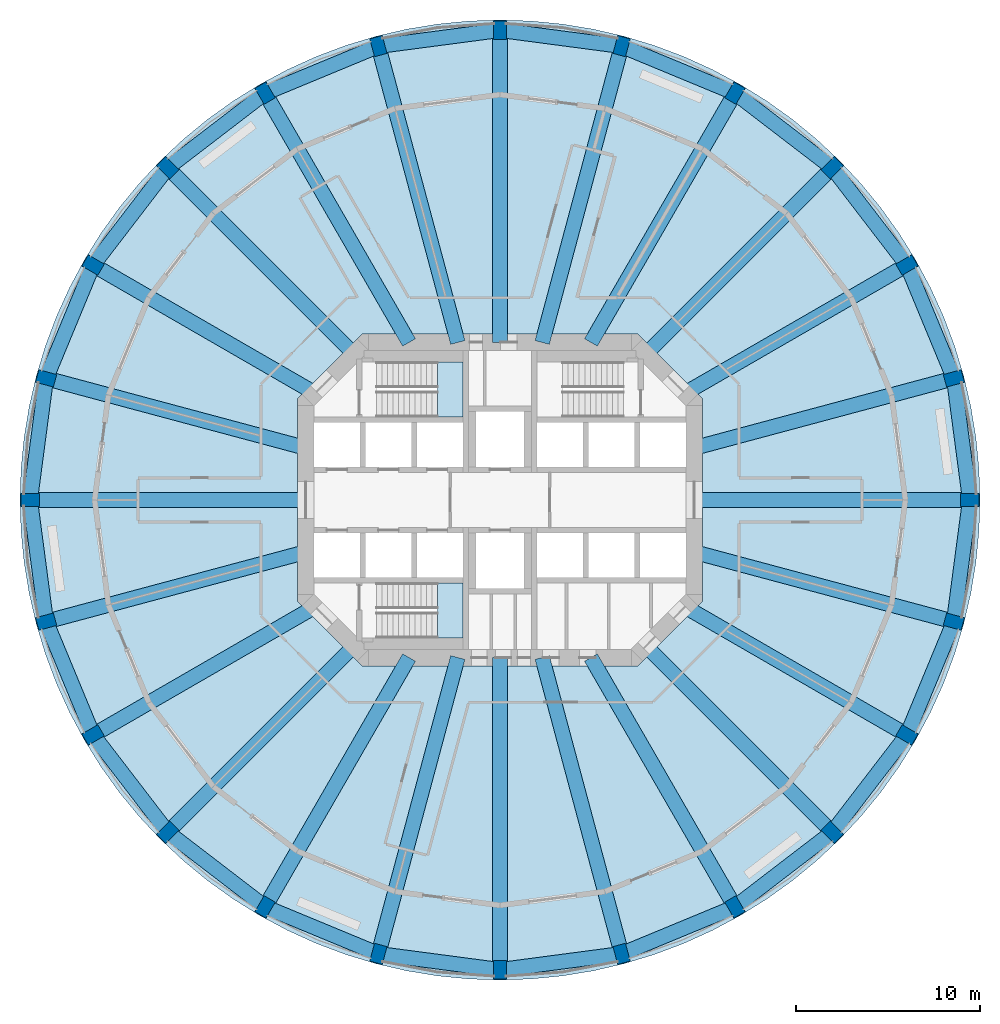
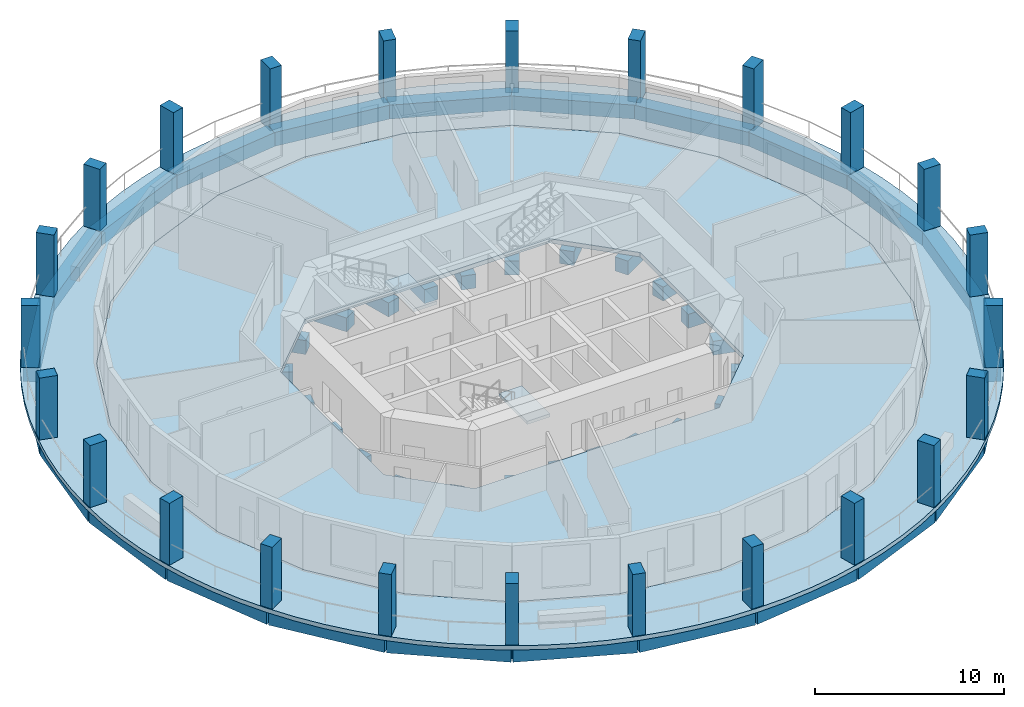
# One storey, part 1 of 9: 48 beams, 24 columns, 4 slabs, 2 elements without a shape of their own.
"""IFC4 building model written with IfcOpenShell, lengths in metres."""

from ifc_helpers import new_model, si_unit, direction, frame, origin, origin_2d, place, context, subcontext, project, spatial, polyline, rectangle, outline, extrude, material, layer, layer_set, material_profile, profile_set, type_object, element, aggregate, save


model = new_model("IFC4")

# Units and contexts
model_context = context("Model", 3, precision=1e-05, world=origin(), true_north=direction((0.0, 1.0)))
body_context = subcontext(model_context, "Body", "Model", "MODEL_VIEW")
ifc_project = project(units=[si_unit("LENGTHUNIT", "METRE"), si_unit("AREAUNIT", "SQUARE_METRE"), si_unit("VOLUMEUNIT", "CUBIC_METRE"), si_unit("PLANEANGLEUNIT", "RADIAN"), si_unit("MASSUNIT", "GRAM", prefix="KILO")], contexts=[model_context])

# Site, building, storey
site_placement = place(None, origin())
site = spatial("IfcSite", under=ifc_project, at=site_placement, CompositionType="ELEMENT")
building_placement = place(site_placement, origin())
building = spatial("IfcBuilding", under=site, at=building_placement, Name="Torre Triforio", CompositionType="ELEMENT")
storey_placement = place(building_placement, frame((0.0, 0.0, 106.60009765625)))
storey = spatial("IfcBuildingStorey", under=building, at=storey_placement, Name="L23", CompositionType="ELEMENT", Elevation=106.60009765625)

# Columns
ifc_material_1 = material(Name="Concrete C60", Category="concrete")
ifc_material_profile_1 = material_profile(ifc_material_1, rectangle(XDim=0.699951171875, YDim=1.0, at=origin_2d()), Name="RC 700x1000")
ifc_profile_set_1 = profile_set([ifc_material_profile_1], Name="Concrete C60")
column_type = type_object("IfcColumnType", Name="Pier RC 700x1000 C60", PredefinedType="COLUMN", material=ifc_profile_set_1)
for number, where, z_axis, x_axis, name in (
    (1, (25.5, 0.0, 0.0), (0.0, 0.0, 1.0), (0.0, 1.0, 0.0), "COL.R.L23.00"),
    (2, (24.631103515625, 6.599853515625, 0.0), (0.0, 0.0, 1.0), (-0.258819045103, 0.965925826289, 0.0), "COL.R.L23.01"),
    (3, (22.083740234375, 12.75, 0.0), (0.0, 0.0, 1.0), (-0.5, 0.866025403784, 0.0), "COL.R.L23.02"),
    (4, (18.03125, 18.03125, 0.0), (0.0, 0.0, 1.0), (-0.707106781187, 0.707106781187, 0.0), "COL.R.L23.03"),
    (5, (12.75, 22.083740234375, 0.0), (0.0, 0.0, 1.0), (-0.866025403784, 0.5, 0.0), "COL.R.L23.04"),
    (6, (6.599853515625, 24.631103515625, 0.0), (0.0, 0.0, 1.0), (-0.965925826289, 0.258819045103, 0.0), "COL.R.L23.05"),
    (7, (0.0, 25.5, 0.0), (0.0, 0.0, 1.0), (-1.0, 0.0, 0.0), "COL.R.L23.06"),
    (8, (-6.599853515625, 24.631103515625, 0.0), (0.0, 0.0, 1.0), (-0.965925826289, -0.258819045103, 0.0), "COL.R.L23.07"),
    (9, (-12.75, 22.083740234375, 0.0), (0.0, 0.0, 1.0), (-0.866025403784, -0.5, 0.0), "COL.R.L23.08"),
    (10, (-18.03125, 18.03125, 0.0), (0.0, 0.0, 1.0), (-0.707106781187, -0.707106781187, 0.0), "COL.R.L23.09"),
    (11, (-22.083740234375, 12.75, 0.0), (0.0, 0.0, 1.0), (-0.5, -0.866025403784, 0.0), "COL.R.L23.10"),
    (12, (-24.631103515625, 6.599853515625, 0.0), (0.0, 0.0, 1.0), (-0.258819045103, -0.965925826289, 0.0), "COL.R.L23.11"),
    (13, (-25.5, 0.0, 0.0), (0.0, 0.0, 1.0), (0.0, -1.0, 0.0), "COL.R.L23.12"),
    (14, (-24.631103515625, -6.599853515625, 0.0), (0.0, 0.0, 1.0), (0.258819045103, -0.965925826289, 0.0), "COL.R.L23.13"),
    (15, (-22.083740234375, -12.75, 0.0), (0.0, 0.0, 1.0), (0.5, -0.866025403784, 0.0), "COL.R.L23.14"),
    (16, (-18.03125, -18.03125, 0.0), (0.0, 0.0, 1.0), (0.707106781187, -0.707106781187, 0.0), "COL.R.L23.15"),
    (17, (-12.75, -22.083740234375, 0.0), (0.0, 0.0, 1.0), (0.866025403784, -0.5, 0.0), "COL.R.L23.16"),
    (18, (-6.599853515625, -24.631103515625, 0.0), (0.0, 0.0, 1.0), (0.965925826289, -0.258819045103, 0.0), "COL.R.L23.17"),
    (19, (0.0, -25.5, 0.0), (0.0, 0.0, 1.0), (1.0, 0.0, 0.0), "COL.R.L23.18"),
    (20, (6.599853515625, -24.631103515625, 0.0), (0.0, 0.0, 1.0), (0.965925826289, 0.258819045103, 0.0), "COL.R.L23.19"),
    (21, (12.75, -22.083740234375, 0.0), (0.0, 0.0, 1.0), (0.866025403784, 0.5, 0.0), "COL.R.L23.20"),
    (22, (18.03125, -18.03125, 0.0), (0.0, 0.0, 1.0), (0.707106781187, 0.707106781187, 0.0), "COL.R.L23.21"),
    (23, (22.083740234375, -12.75, 0.0), (0.0, 0.0, 1.0), (0.5, 0.866025403784, 0.0), "COL.R.L23.22"),
    (24, (24.631103515625, -6.599853515625, 0.0), (0.0, 0.0, 1.0), (0.258819045103, 0.965925826289, 0.0), "COL.R.L23.23"),
):
    element("IfcColumn", number, at=place(storey_placement, frame(where, z_axis=z_axis, x_axis=x_axis)), inside=storey, type_object=column_type, Name=name, PredefinedType="COLUMN", context=body_context, shape_type="SweptSolid", body=[
        extrude(rectangle(XDim=0.699951171875, YDim=1.0, at=origin_2d()), origin(), (0.0, 0.0, 1.0), 4.0),
    ])

# Beams
ifc_material_2 = material(Name="Concrete C50", Category="concrete")
ifc_material_profile_2 = material_profile(ifc_material_2, rectangle(XDim=0.800048828125, YDim=0.89990234375, at=origin_2d()), Name="RC 800x900")
ifc_profile_set_2 = profile_set([ifc_material_profile_2], Name="Concrete C50")
beam_type_1 = type_object("IfcBeamType", Name="Radial beam RC 800x900 C50", PredefinedType="BEAM", material=ifc_profile_set_2)
beam_1_placement = place(storey_placement, frame((10.550048828125, 0.0, -0.72998046875), z_axis=(1.0, 0.0, 0.0), x_axis=(0.0, 1.0, 0.0)))
element("IfcBeam", 25, at=beam_1_placement, inside=storey, type_object=beam_type_1, Name="BM.R.L23.00", PredefinedType="BEAM", context=body_context, shape_type="SweptSolid", body=[
    extrude(rectangle(XDim=0.800048828125, YDim=0.89990234375, at=origin_2d()), origin(), (0.0, 0.0, 1.0), 14.949951171875),
])
beam_2_placement = place(storey_placement, frame((10.550048828125, 2.826904296875, -0.72998046875), z_axis=(0.965926821176, 0.258815332104, 0.0), x_axis=(-0.258815332104, 0.965926821176, 0.0)))
element("IfcBeam", 26, at=beam_2_placement, inside=storey, type_object=beam_type_1, Name="BM.R.L23.01", PredefinedType="BEAM", context=body_context, shape_type="SweptSolid", body=[
    extrude(rectangle(XDim=0.800048828125, YDim=0.89990234375, at=origin_2d()), origin(), (0.0, 0.0, 1.0), 14.577880859375),
])
beam_3_placement = place(storey_placement, frame((10.039794921875, 5.796630859375, -0.72998046875), z_axis=(0.866031815519, 0.499988894385, 0.0), x_axis=(-0.499988894385, 0.866031815519, 0.0)))
element("IfcBeam", 27, at=beam_3_placement, inside=storey, type_object=beam_type_1, Name="BM.R.L23.02", PredefinedType="BEAM", context=body_context, shape_type="SweptSolid", body=[
    extrude(rectangle(XDim=0.800048828125, YDim=0.89990234375, at=origin_2d()), origin(), (0.0, 0.0, 1.0), 13.906982421875),
])
beam_4_placement = place(storey_placement, frame((7.918212890625, 7.918212890625, -0.72998046875), z_axis=(0.707106781187, 0.707106781187, 0.0), x_axis=(-0.707106781187, 0.707106781187, 0.0)))
element("IfcBeam", 28, at=beam_4_placement, inside=storey, type_object=beam_type_1, Name="BM.R.L23.03", PredefinedType="BEAM", context=body_context, shape_type="SweptSolid", body=[
    extrude(rectangle(XDim=0.800048828125, YDim=0.89990234375, at=origin_2d()), origin(), (0.0, 0.0, 1.0), 14.302001953125),
])
beam_5_placement = place(storey_placement, frame((4.936279296875, 8.550048828125, -0.72998046875), z_axis=(0.500001935381, 0.866024286389, 0.0), x_axis=(-0.866024286389, 0.500001935381, 0.0)))
element("IfcBeam", 29, at=beam_5_placement, inside=storey, type_object=beam_type_1, Name="BM.R.L23.04", PredefinedType="BEAM", context=body_context, shape_type="SweptSolid", body=[
    extrude(rectangle(XDim=0.800048828125, YDim=0.89990234375, at=origin_2d()), origin(), (0.0, 0.0, 1.0), 15.62744140625),
])
beam_6_placement = place(storey_placement, frame((2.291015625, 8.550048828125, -0.72998046875), z_axis=(0.25881524955, 0.965926843296, 0.0), x_axis=(-0.965926843296, 0.25881524955, 0.0)))
element("IfcBeam", 30, at=beam_6_placement, inside=storey, type_object=beam_type_1, Name="BM.R.L23.05", PredefinedType="BEAM", context=body_context, shape_type="SweptSolid", body=[
    extrude(rectangle(XDim=0.800048828125, YDim=0.89990234375, at=origin_2d()), origin(), (0.0, 0.0, 1.0), 16.648193359375),
])
beam_7_placement = place(storey_placement, frame((0.0, 8.550048828125, -0.72998046875), z_axis=(0.0, 1.0, 0.0), x_axis=(-1.0, 0.0, 0.0)))
element("IfcBeam", 31, at=beam_7_placement, inside=storey, type_object=beam_type_1, Name="BM.R.L23.06", PredefinedType="BEAM", context=body_context, shape_type="SweptSolid", body=[
    extrude(rectangle(XDim=0.800048828125, YDim=0.89990234375, at=origin_2d()), origin(), (0.0, 0.0, 1.0), 16.949951171875),
])
beam_8_placement = place(storey_placement, frame((-2.291015625, 8.550048828125, -0.72998046875), z_axis=(-0.25881524955, 0.965926843296, 0.0), x_axis=(-0.965926843296, -0.25881524955, 0.0)))
element("IfcBeam", 32, at=beam_8_placement, inside=storey, type_object=beam_type_1, Name="BM.R.L23.07", PredefinedType="BEAM", context=body_context, shape_type="SweptSolid", body=[
    extrude(rectangle(XDim=0.800048828125, YDim=0.89990234375, at=origin_2d()), origin(), (0.0, 0.0, 1.0), 16.648193359375),
])
beam_9_placement = place(storey_placement, frame((-4.936279296875, 8.550048828125, -0.72998046875), z_axis=(-0.500001935381, 0.866024286389, 0.0), x_axis=(-0.866024286389, -0.500001935381, 0.0)))
element("IfcBeam", 33, at=beam_9_placement, inside=storey, type_object=beam_type_1, Name="BM.R.L23.08", PredefinedType="BEAM", context=body_context, shape_type="SweptSolid", body=[
    extrude(rectangle(XDim=0.800048828125, YDim=0.89990234375, at=origin_2d()), origin(), (0.0, 0.0, 1.0), 15.62744140625),
])
beam_10_placement = place(storey_placement, frame((-7.918212890625, 7.918212890625, -0.72998046875), z_axis=(-0.707106781187, 0.707106781187, 0.0), x_axis=(-0.707106781187, -0.707106781187, 0.0)))
element("IfcBeam", 34, at=beam_10_placement, inside=storey, type_object=beam_type_1, Name="BM.R.L23.09", PredefinedType="BEAM", context=body_context, shape_type="SweptSolid", body=[
    extrude(rectangle(XDim=0.800048828125, YDim=0.89990234375, at=origin_2d()), origin(), (0.0, 0.0, 1.0), 14.302001953125),
])
beam_11_placement = place(storey_placement, frame((-10.039794921875, 5.796630859375, -0.72998046875), z_axis=(-0.866031815519, 0.499988894385, 0.0), x_axis=(-0.499988894385, -0.866031815519, 0.0)))
element("IfcBeam", 35, at=beam_11_placement, inside=storey, type_object=beam_type_1, Name="BM.R.L23.10", PredefinedType="BEAM", context=body_context, shape_type="SweptSolid", body=[
    extrude(rectangle(XDim=0.800048828125, YDim=0.89990234375, at=origin_2d()), origin(), (0.0, 0.0, 1.0), 13.906982421875),
])
beam_12_placement = place(storey_placement, frame((-10.550048828125, 2.826904296875, -0.72998046875), z_axis=(-0.965926821176, 0.258815332104, 0.0), x_axis=(-0.258815332104, -0.965926821176, 0.0)))
element("IfcBeam", 36, at=beam_12_placement, inside=storey, type_object=beam_type_1, Name="BM.R.L23.11", PredefinedType="BEAM", context=body_context, shape_type="SweptSolid", body=[
    extrude(rectangle(XDim=0.800048828125, YDim=0.89990234375, at=origin_2d()), origin(), (0.0, 0.0, 1.0), 14.577880859375),
])
beam_13_placement = place(storey_placement, frame((-10.550048828125, 0.0, -0.72998046875), z_axis=(-1.0, 0.0, 0.0), x_axis=(0.0, -1.0, 0.0)))
element("IfcBeam", 37, at=beam_13_placement, inside=storey, type_object=beam_type_1, Name="BM.R.L23.12", PredefinedType="BEAM", context=body_context, shape_type="SweptSolid", body=[
    extrude(rectangle(XDim=0.800048828125, YDim=0.89990234375, at=origin_2d()), origin(), (0.0, 0.0, 1.0), 14.949951171875),
])
beam_14_placement = place(storey_placement, frame((-10.550048828125, -2.826904296875, -0.72998046875), z_axis=(-0.965926821176, -0.258815332104, 0.0), x_axis=(0.258815332104, -0.965926821176, 0.0)))
element("IfcBeam", 38, at=beam_14_placement, inside=storey, type_object=beam_type_1, Name="BM.R.L23.13", PredefinedType="BEAM", context=body_context, shape_type="SweptSolid", body=[
    extrude(rectangle(XDim=0.800048828125, YDim=0.89990234375, at=origin_2d()), origin(), (0.0, 0.0, 1.0), 14.577880859375),
])
beam_15_placement = place(storey_placement, frame((-10.039794921875, -5.796630859375, -0.72998046875), z_axis=(-0.866031815519, -0.499988894385, 0.0), x_axis=(0.499988894385, -0.866031815519, 0.0)))
element("IfcBeam", 39, at=beam_15_placement, inside=storey, type_object=beam_type_1, Name="BM.R.L23.14", PredefinedType="BEAM", context=body_context, shape_type="SweptSolid", body=[
    extrude(rectangle(XDim=0.800048828125, YDim=0.89990234375, at=origin_2d()), origin(), (0.0, 0.0, 1.0), 13.906982421875),
])
beam_16_placement = place(storey_placement, frame((-7.918212890625, -7.918212890625, -0.72998046875), z_axis=(-0.707106781187, -0.707106781187, 0.0), x_axis=(0.707106781187, -0.707106781187, 0.0)))
element("IfcBeam", 40, at=beam_16_placement, inside=storey, type_object=beam_type_1, Name="BM.R.L23.15", PredefinedType="BEAM", context=body_context, shape_type="SweptSolid", body=[
    extrude(rectangle(XDim=0.800048828125, YDim=0.89990234375, at=origin_2d()), origin(), (0.0, 0.0, 1.0), 14.302001953125),
])
beam_17_placement = place(storey_placement, frame((-4.936279296875, -8.550048828125, -0.72998046875), z_axis=(-0.500001935381, -0.866024286389, 0.0), x_axis=(0.866024286389, -0.500001935381, 0.0)))
element("IfcBeam", 41, at=beam_17_placement, inside=storey, type_object=beam_type_1, Name="BM.R.L23.16", PredefinedType="BEAM", context=body_context, shape_type="SweptSolid", body=[
    extrude(rectangle(XDim=0.800048828125, YDim=0.89990234375, at=origin_2d()), origin(), (0.0, 0.0, 1.0), 15.62744140625),
])
beam_18_placement = place(storey_placement, frame((-2.291015625, -8.550048828125, -0.72998046875), z_axis=(-0.25881524955, -0.965926843296, 0.0), x_axis=(0.965926843296, -0.25881524955, 0.0)))
element("IfcBeam", 42, at=beam_18_placement, inside=storey, type_object=beam_type_1, Name="BM.R.L23.17", PredefinedType="BEAM", context=body_context, shape_type="SweptSolid", body=[
    extrude(rectangle(XDim=0.800048828125, YDim=0.89990234375, at=origin_2d()), origin(), (0.0, 0.0, 1.0), 16.648193359375),
])
beam_19_placement = place(storey_placement, frame((0.0, -8.550048828125, -0.72998046875), z_axis=(0.0, -1.0, 0.0), x_axis=(1.0, 0.0, 0.0)))
element("IfcBeam", 43, at=beam_19_placement, inside=storey, type_object=beam_type_1, Name="BM.R.L23.18", PredefinedType="BEAM", context=body_context, shape_type="SweptSolid", body=[
    extrude(rectangle(XDim=0.800048828125, YDim=0.89990234375, at=origin_2d()), origin(), (0.0, 0.0, 1.0), 16.949951171875),
])
beam_20_placement = place(storey_placement, frame((2.291015625, -8.550048828125, -0.72998046875), z_axis=(0.25881524955, -0.965926843296, 0.0), x_axis=(0.965926843296, 0.25881524955, 0.0)))
element("IfcBeam", 44, at=beam_20_placement, inside=storey, type_object=beam_type_1, Name="BM.R.L23.19", PredefinedType="BEAM", context=body_context, shape_type="SweptSolid", body=[
    extrude(rectangle(XDim=0.800048828125, YDim=0.89990234375, at=origin_2d()), origin(), (0.0, 0.0, 1.0), 16.648193359375),
])
beam_21_placement = place(storey_placement, frame((4.936279296875, -8.550048828125, -0.72998046875), z_axis=(0.500001935381, -0.866024286389, 0.0), x_axis=(0.866024286389, 0.500001935381, 0.0)))
element("IfcBeam", 45, at=beam_21_placement, inside=storey, type_object=beam_type_1, Name="BM.R.L23.20", PredefinedType="BEAM", context=body_context, shape_type="SweptSolid", body=[
    extrude(rectangle(XDim=0.800048828125, YDim=0.89990234375, at=origin_2d()), origin(), (0.0, 0.0, 1.0), 15.62744140625),
])
beam_22_placement = place(storey_placement, frame((7.918212890625, -7.918212890625, -0.72998046875), z_axis=(0.707106781187, -0.707106781187, 0.0), x_axis=(0.707106781187, 0.707106781187, 0.0)))
element("IfcBeam", 46, at=beam_22_placement, inside=storey, type_object=beam_type_1, Name="BM.R.L23.21", PredefinedType="BEAM", context=body_context, shape_type="SweptSolid", body=[
    extrude(rectangle(XDim=0.800048828125, YDim=0.89990234375, at=origin_2d()), origin(), (0.0, 0.0, 1.0), 14.302001953125),
])
beam_23_placement = place(storey_placement, frame((10.039794921875, -5.796630859375, -0.72998046875), z_axis=(0.866031815519, -0.499988894385, 0.0), x_axis=(0.499988894385, 0.866031815519, 0.0)))
element("IfcBeam", 47, at=beam_23_placement, inside=storey, type_object=beam_type_1, Name="BM.R.L23.22", PredefinedType="BEAM", context=body_context, shape_type="SweptSolid", body=[
    extrude(rectangle(XDim=0.800048828125, YDim=0.89990234375, at=origin_2d()), origin(), (0.0, 0.0, 1.0), 13.906982421875),
])
beam_24_placement = place(storey_placement, frame((10.550048828125, -2.826904296875, -0.72998046875), z_axis=(0.965926821176, -0.258815332104, 0.0), x_axis=(0.258815332104, 0.965926821176, 0.0)))
element("IfcBeam", 48, at=beam_24_placement, inside=storey, type_object=beam_type_1, Name="BM.R.L23.23", PredefinedType="BEAM", context=body_context, shape_type="SweptSolid", body=[
    extrude(rectangle(XDim=0.800048828125, YDim=0.89990234375, at=origin_2d()), origin(), (0.0, 0.0, 1.0), 14.577880859375),
])
ifc_material_profile_3 = material_profile(ifc_material_2, rectangle(XDim=0.800048828125, YDim=0.89990234375, at=origin_2d()), Name="RC 800x900")
ifc_profile_set_3 = profile_set([ifc_material_profile_3], Name="Concrete C50")
beam_type_2 = type_object("IfcBeamType", Name="Spandrel beam RC 800x900 C50", PredefinedType="SPANDREL", material=ifc_profile_set_3)
for number, where, z_axis, x_axis, name in (
    (49, (25.5, 0.0, -0.72998046875), (-0.130527563319, 0.991444680864, 0.0), (-0.991444680864, -0.130527563319, 0.0), "BM.S.L23.00"),
    (50, (24.631103515625, 6.599853515625, -0.72998046875), (-0.382669224891, 0.923885417312, 0.0), (-0.923885417312, -0.382669224891, 0.0), "BM.S.L23.01"),
):
    element("IfcBeam", number, at=place(storey_placement, frame(where, z_axis=z_axis, x_axis=x_axis)), inside=storey, type_object=beam_type_2, Name=name, PredefinedType="SPANDREL", context=body_context, shape_type="SweptSolid", body=[
        extrude(rectangle(XDim=0.800048828125, YDim=0.89990234375, at=origin_2d()), origin(), (0.0, 0.0, 1.0), 6.65673828125),
    ])
for number, where, z_axis, x_axis, name in (
    (51, (22.083740234375, 12.75, -0.72998046875), (-0.608765643954, 0.793350106032, 0.0), (-0.793350106032, -0.608765643954, 0.0), "BM.S.L23.02"),
    (52, (18.03125, 18.03125, -0.72998046875), (-0.793350106032, 0.608765643954, 0.0), (-0.608765643954, -0.793350106032, 0.0), "BM.S.L23.03"),
):
    element("IfcBeam", number, at=place(storey_placement, frame(where, z_axis=z_axis, x_axis=x_axis)), inside=storey, type_object=beam_type_2, Name=name, PredefinedType="SPANDREL", context=body_context, shape_type="SweptSolid", body=[
        extrude(rectangle(XDim=0.800048828125, YDim=0.89990234375, at=origin_2d()), origin(), (0.0, 0.0, 1.0), 6.656982421875),
    ])
for number, where, z_axis, x_axis, name in (
    (53, (12.75, 22.083740234375, -0.72998046875), (-0.923885417312, 0.382669224891, 0.0), (-0.382669224891, -0.923885417312, 0.0), "BM.S.L23.04"),
    (54, (6.599853515625, 24.631103515625, -0.72998046875), (-0.991444680864, 0.130527563319, 0.0), (-0.130527563319, -0.991444680864, 0.0), "BM.S.L23.05"),
    (55, (0.0, 25.5, -0.72998046875), (-0.991444680864, -0.130527563319, 0.0), (0.130527563319, -0.991444680864, 0.0), "BM.S.L23.06"),
    (56, (-6.599853515625, 24.631103515625, -0.72998046875), (-0.923885417312, -0.382669224891, 0.0), (0.382669224891, -0.923885417312, 0.0), "BM.S.L23.07"),
):
    element("IfcBeam", number, at=place(storey_placement, frame(where, z_axis=z_axis, x_axis=x_axis)), inside=storey, type_object=beam_type_2, Name=name, PredefinedType="SPANDREL", context=body_context, shape_type="SweptSolid", body=[
        extrude(rectangle(XDim=0.800048828125, YDim=0.89990234375, at=origin_2d()), origin(), (0.0, 0.0, 1.0), 6.65673828125),
    ])
for number, where, z_axis, x_axis, name in (
    (57, (-12.75, 22.083740234375, -0.72998046875), (-0.793350106032, -0.608765643954, 0.0), (0.608765643954, -0.793350106032, 0.0), "BM.S.L23.08"),
    (58, (-18.03125, 18.03125, -0.72998046875), (-0.608765643954, -0.793350106032, 0.0), (0.793350106032, -0.608765643954, 0.0), "BM.S.L23.09"),
):
    element("IfcBeam", number, at=place(storey_placement, frame(where, z_axis=z_axis, x_axis=x_axis)), inside=storey, type_object=beam_type_2, Name=name, PredefinedType="SPANDREL", context=body_context, shape_type="SweptSolid", body=[
        extrude(rectangle(XDim=0.800048828125, YDim=0.89990234375, at=origin_2d()), origin(), (0.0, 0.0, 1.0), 6.656982421875),
    ])
for number, where, z_axis, x_axis, name in (
    (59, (-22.083740234375, 12.75, -0.72998046875), (-0.382669224891, -0.923885417312, 0.0), (0.923885417312, -0.382669224891, 0.0), "BM.S.L23.10"),
    (60, (-24.631103515625, 6.599853515625, -0.72998046875), (-0.130527563319, -0.991444680864, 0.0), (0.991444680864, -0.130527563319, 0.0), "BM.S.L23.11"),
    (61, (-25.5, 0.0, -0.72998046875), (0.130527563319, -0.991444680864, 0.0), (0.991444680864, 0.130527563319, 0.0), "BM.S.L23.12"),
    (62, (-24.631103515625, -6.599853515625, -0.72998046875), (0.382669224891, -0.923885417312, 0.0), (0.923885417312, 0.382669224891, 0.0), "BM.S.L23.13"),
):
    element("IfcBeam", number, at=place(storey_placement, frame(where, z_axis=z_axis, x_axis=x_axis)), inside=storey, type_object=beam_type_2, Name=name, PredefinedType="SPANDREL", context=body_context, shape_type="SweptSolid", body=[
        extrude(rectangle(XDim=0.800048828125, YDim=0.89990234375, at=origin_2d()), origin(), (0.0, 0.0, 1.0), 6.65673828125),
    ])
for number, where, z_axis, x_axis, name in (
    (63, (-22.083740234375, -12.75, -0.72998046875), (0.608765643954, -0.793350106032, 0.0), (0.793350106032, 0.608765643954, 0.0), "BM.S.L23.14"),
    (64, (-18.03125, -18.03125, -0.72998046875), (0.793350106032, -0.608765643954, 0.0), (0.608765643954, 0.793350106032, 0.0), "BM.S.L23.15"),
):
    element("IfcBeam", number, at=place(storey_placement, frame(where, z_axis=z_axis, x_axis=x_axis)), inside=storey, type_object=beam_type_2, Name=name, PredefinedType="SPANDREL", context=body_context, shape_type="SweptSolid", body=[
        extrude(rectangle(XDim=0.800048828125, YDim=0.89990234375, at=origin_2d()), origin(), (0.0, 0.0, 1.0), 6.656982421875),
    ])
for number, where, z_axis, x_axis, name in (
    (65, (-12.75, -22.083740234375, -0.72998046875), (0.923885417312, -0.382669224891, 0.0), (0.382669224891, 0.923885417312, 0.0), "BM.S.L23.16"),
    (66, (-6.599853515625, -24.631103515625, -0.72998046875), (0.991444680864, -0.130527563319, 0.0), (0.130527563319, 0.991444680864, 0.0), "BM.S.L23.17"),
    (67, (0.0, -25.5, -0.72998046875), (0.991444680864, 0.130527563319, 0.0), (-0.130527563319, 0.991444680864, 0.0), "BM.S.L23.18"),
    (68, (6.599853515625, -24.631103515625, -0.72998046875), (0.923885417312, 0.382669224891, 0.0), (-0.382669224891, 0.923885417312, 0.0), "BM.S.L23.19"),
):
    element("IfcBeam", number, at=place(storey_placement, frame(where, z_axis=z_axis, x_axis=x_axis)), inside=storey, type_object=beam_type_2, Name=name, PredefinedType="SPANDREL", context=body_context, shape_type="SweptSolid", body=[
        extrude(rectangle(XDim=0.800048828125, YDim=0.89990234375, at=origin_2d()), origin(), (0.0, 0.0, 1.0), 6.65673828125),
    ])
for number, where, z_axis, x_axis, name in (
    (69, (12.75, -22.083740234375, -0.72998046875), (0.793350106032, 0.608765643954, 0.0), (-0.608765643954, 0.793350106032, 0.0), "BM.S.L23.20"),
    (70, (18.03125, -18.03125, -0.72998046875), (0.608765643954, 0.793350106032, 0.0), (-0.793350106032, 0.608765643954, 0.0), "BM.S.L23.21"),
):
    element("IfcBeam", number, at=place(storey_placement, frame(where, z_axis=z_axis, x_axis=x_axis)), inside=storey, type_object=beam_type_2, Name=name, PredefinedType="SPANDREL", context=body_context, shape_type="SweptSolid", body=[
        extrude(rectangle(XDim=0.800048828125, YDim=0.89990234375, at=origin_2d()), origin(), (0.0, 0.0, 1.0), 6.656982421875),
    ])
for number, where, z_axis, x_axis, name in (
    (71, (22.083740234375, -12.75, -0.72998046875), (0.382669224891, 0.923885417312, 0.0), (-0.923885417312, 0.382669224891, 0.0), "BM.S.L23.22"),
    (72, (24.631103515625, -6.599853515625, -0.72998046875), (0.130527563319, 0.991444680864, 0.0), (-0.991444680864, 0.130527563319, 0.0), "BM.S.L23.23"),
):
    element("IfcBeam", number, at=place(storey_placement, frame(where, z_axis=z_axis, x_axis=x_axis)), inside=storey, type_object=beam_type_2, Name=name, PredefinedType="SPANDREL", context=body_context, shape_type="SweptSolid", body=[
        extrude(rectangle(XDim=0.800048828125, YDim=0.89990234375, at=origin_2d()), origin(), (0.0, 0.0, 1.0), 6.65673828125),
    ])

# Slabs
ifc_layer_1 = layer(ifc_material_2, 0.280029296875)
ifc_layer_set_1 = layer_set([ifc_layer_1], Name="Concrete C50")
slab_type_1 = type_object("IfcSlabType", Name="Floor slab 280 C50", PredefinedType="FLOOR", material=ifc_layer_set_1)
slab_1_placement = place(storey_placement, frame((0.0, 0.0, -0.280029296875)))
element("IfcSlab", 73, at=slab_1_placement, inside=storey, type_object=slab_type_1, Name="SL.L23", PredefinedType="FLOOR", context=body_context, shape_type="SweptSolid", body=[
    extrude(outline(polyline([(19.052490234375, -11.0), (21.25048828125, -5.694091796875), (22.0, 0.0), (21.25048828125, 5.694091796875), (19.052490234375, 11.0), (15.556396484375, 15.556396484375), (11.0, 19.052490234375), (5.694091796875, 21.25048828125), (0.0, 22.0), (-5.694091796875, 21.25048828125), (-11.0, 19.052490234375), (-15.556396484375, 15.556396484375), (-19.052490234375, 11.0), (-21.25048828125, 5.694091796875), (-22.0, 0.0), (-21.25048828125, -5.694091796875), (-19.052490234375, -11.0), (-15.556396484375, -15.556396484375), (-11.0, -19.052490234375), (-5.694091796875, -21.25048828125), (0.0, -22.0), (5.694091796875, -21.25048828125), (11.0, -19.052490234375), (15.556396484375, -15.556396484375), (19.052490234375, -11.0)]), holes=[polyline([(11.0, 5.472900390625), (11.0, -5.472900390625), (7.472900390625, -9.0), (-7.472900390625, -9.0), (-11.0, -5.472900390625), (-11.0, 5.472900390625), (-7.472900390625, 9.0), (7.472900390625, 9.0), (11.0, 5.472900390625)])]), origin(), (0.0, 0.0, 1.0), 0.280029296875),
])
ifc_layer_2 = layer(ifc_material_2, 0.280029296875)
ifc_layer_set_2 = layer_set([ifc_layer_2], Name="Concrete C50")
slab_type_2 = type_object("IfcSlabType", Name="Loggia slab 280 C50", PredefinedType="FLOOR", material=ifc_layer_set_2)
slab_2_placement = place(storey_placement, frame((0.0, 0.0, -0.280029296875)))
element("IfcSlab", 74, at=slab_2_placement, inside=storey, type_object=slab_type_2, Name="SL.L23.LG", PredefinedType="FLOOR", context=body_context, shape_type="SweptSolid", body=[
    extrude(outline(polyline([(25.994140625, -1.703857421875), (26.050048828125, 0.0), (25.994140625, 1.703857421875), (25.8271484375, 3.400146484375), (25.549560546875, 5.08203125), (25.162353515625, 6.7421875), (24.66748046875, 8.37353515625), (24.067138671875, 9.968994140625), (23.363525390625, 11.521728515625), (22.56005859375, 13.02490234375), (21.65966796875, 14.47265625), (20.666748046875, 15.858154296875), (19.58544921875, 17.176025390625), (18.420166015625, 18.420166015625), (17.176025390625, 19.58544921875), (15.858154296875, 20.666748046875), (14.47265625, 21.65966796875), (13.02490234375, 22.56005859375), (11.521728515625, 23.363525390625), (9.968994140625, 24.067138671875), (8.37353515625, 24.66748046875), (6.7421875, 25.162353515625), (5.08203125, 25.549560546875), (3.400146484375, 25.8271484375), (1.703857421875, 25.994140625), (0.0, 26.050048828125), (-1.703857421875, 25.994140625), (-3.400146484375, 25.8271484375), (-5.08203125, 25.549560546875), (-6.7421875, 25.162353515625), (-8.37353515625, 24.66748046875), (-9.968994140625, 24.067138671875), (-11.521728515625, 23.363525390625), (-13.02490234375, 22.56005859375), (-14.47265625, 21.65966796875), (-15.858154296875, 20.666748046875), (-17.176025390625, 19.58544921875), (-18.420166015625, 18.420166015625), (-19.58544921875, 17.176025390625), (-20.666748046875, 15.858154296875), (-21.65966796875, 14.47265625), (-22.56005859375, 13.02490234375), (-23.363525390625, 11.521728515625), (-24.067138671875, 9.968994140625), (-24.66748046875, 8.37353515625), (-25.162353515625, 6.7421875), (-25.549560546875, 5.08203125), (-25.8271484375, 3.400146484375), (-25.994140625, 1.703857421875), (-26.050048828125, 0.0), (-25.994140625, -1.703857421875), (-25.8271484375, -3.400146484375), (-25.549560546875, -5.08203125), (-25.162353515625, -6.7421875), (-24.66748046875, -8.37353515625), (-24.067138671875, -9.968994140625), (-23.363525390625, -11.521728515625), (-22.56005859375, -13.02490234375), (-21.65966796875, -14.47265625), (-20.666748046875, -15.858154296875), (-19.58544921875, -17.176025390625), (-18.420166015625, -18.420166015625), (-17.176025390625, -19.58544921875), (-15.858154296875, -20.666748046875), (-14.47265625, -21.65966796875), (-13.02490234375, -22.56005859375), (-11.521728515625, -23.363525390625), (-9.968994140625, -24.067138671875), (-8.37353515625, -24.66748046875), (-6.7421875, -25.162353515625), (-5.08203125, -25.549560546875), (-3.400146484375, -25.8271484375), (-1.703857421875, -25.994140625), (0.0, -26.050048828125), (1.703857421875, -25.994140625), (3.400146484375, -25.8271484375), (5.08203125, -25.549560546875), (6.7421875, -25.162353515625), (8.37353515625, -24.66748046875), (9.968994140625, -24.067138671875), (11.521728515625, -23.363525390625), (13.02490234375, -22.56005859375), (14.47265625, -21.65966796875), (15.858154296875, -20.666748046875), (17.176025390625, -19.58544921875), (18.420166015625, -18.420166015625), (19.58544921875, -17.176025390625), (20.666748046875, -15.858154296875), (21.65966796875, -14.47265625), (22.56005859375, -13.02490234375), (23.363525390625, -11.521728515625), (24.067138671875, -9.968994140625), (24.66748046875, -8.37353515625), (25.162353515625, -6.7421875), (25.549560546875, -5.08203125), (25.8271484375, -3.400146484375), (25.994140625, -1.703857421875)]), holes=[polyline([(21.25048828125, 5.694091796875), (22.0, 0.0), (21.25048828125, -5.694091796875), (19.052490234375, -11.0), (15.556396484375, -15.556396484375), (11.0, -19.052490234375), (5.694091796875, -21.25048828125), (0.0, -22.0), (-5.694091796875, -21.25048828125), (-11.0, -19.052490234375), (-15.556396484375, -15.556396484375), (-19.052490234375, -11.0), (-21.25048828125, -5.694091796875), (-22.0, 0.0), (-21.25048828125, 5.694091796875), (-19.052490234375, 11.0), (-15.556396484375, 15.556396484375), (-11.0, 19.052490234375), (-5.694091796875, 21.25048828125), (0.0, 22.0), (5.694091796875, 21.25048828125), (11.0, 19.052490234375), (15.556396484375, 15.556396484375), (19.052490234375, 11.0), (21.25048828125, 5.694091796875)])]), origin(), (0.0, 0.0, 1.0), 0.280029296875),
])

# Stair, slab
ifc_material_3 = material(Name="Concrete C40", Category="concrete")
stair_type = type_object("IfcStairType", Name="STAIR HALF-TURN", PredefinedType="HALF_TURN_STAIR", material=ifc_material_3)
stair_1_placement = place(storey_placement, origin())
stair_1 = element("IfcStair", 75, at=stair_1_placement, inside=storey, type_object=stair_type, Name="Exit stair 1", PredefinedType="HALF_TURN_STAIR")
ifc_layer_3 = layer(ifc_material_3, 0.199951171875)
ifc_layer_set_3 = layer_set([ifc_layer_3], Name="Concrete C40")
slab_type_3 = type_object("IfcSlabType", Name="STAIR LANDING 200", PredefinedType="LANDING", material=ifc_layer_set_3)
slab_3_placement = place(storey_placement, frame((0.0, 0.0, 1.7998046875)))
slab_3 = element("IfcSlab", 76, at=slab_3_placement, type_object=slab_type_3, Name="ST1 landing 1", PredefinedType="LANDING", context=body_context, shape_type="SweptSolid", body=[
    extrude(outline(polyline([(-2.0, 4.5), (-2.0, 7.5), (-3.39990234375, 7.5), (-3.39990234375, 4.5), (-2.0, 4.5)])), origin(), (0.0, 0.0, 1.0), 0.2001953125),
])
aggregate(stair_1, [slab_3])

stair_2_placement = place(storey_placement, origin())
stair_2 = element("IfcStair", 77, at=stair_2_placement, inside=storey, type_object=stair_type, Name="Exit stair 3", PredefinedType="HALF_TURN_STAIR")
slab_4_placement = place(storey_placement, frame((0.0, 0.0, 1.7998046875)))
slab_4 = element("IfcSlab", 78, at=slab_4_placement, type_object=slab_type_3, Name="ST3 landing 1", PredefinedType="LANDING", context=body_context, shape_type="SweptSolid", body=[
    extrude(outline(polyline([(-2.0, -7.5), (-2.0, -4.5), (-3.39990234375, -4.5), (-3.39990234375, -7.5), (-2.0, -7.5)])), origin(), (0.0, 0.0, 1.0), 0.2001953125),
])
aggregate(stair_2, [slab_4])

save(model, "model.ifc")
